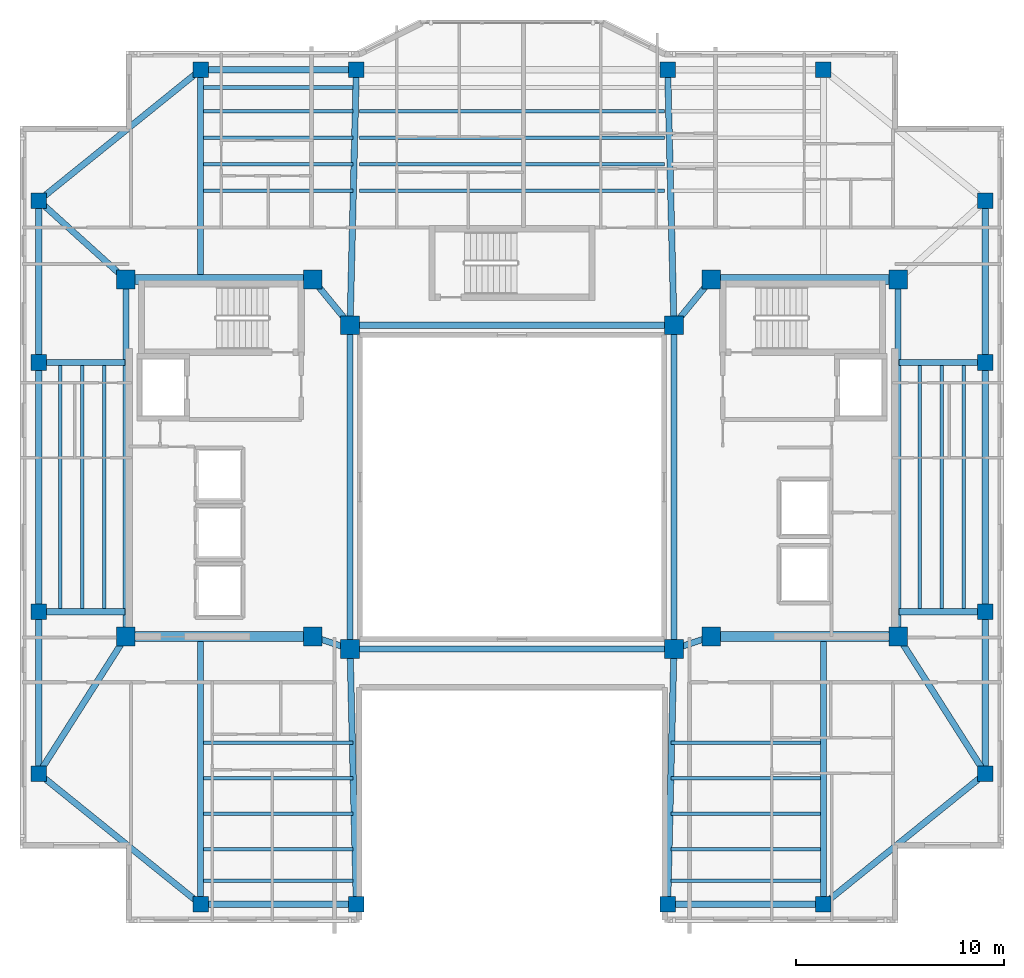
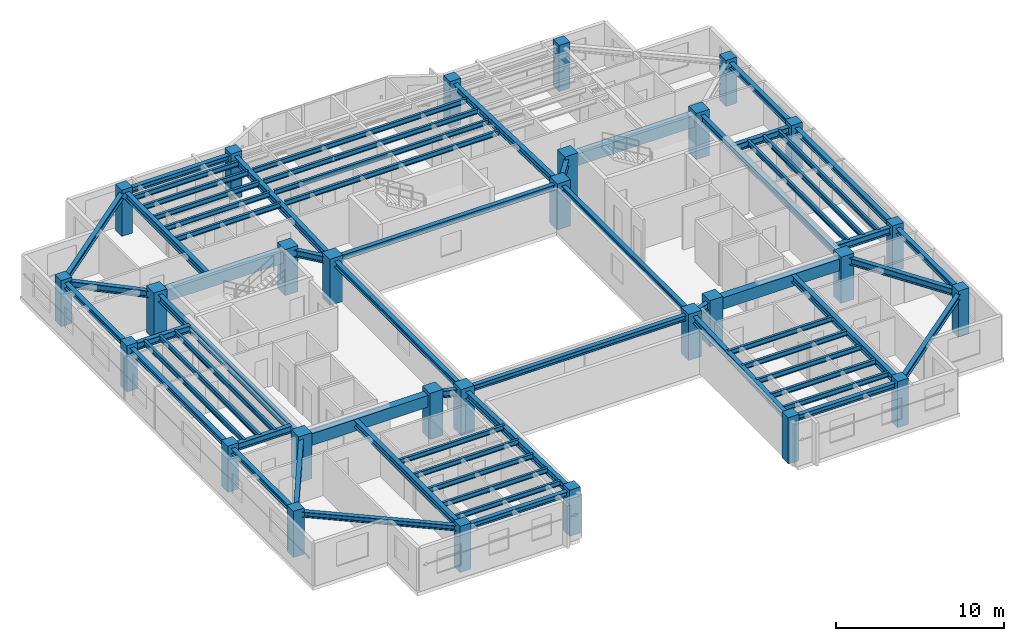
# One storey, part 1 of 12: 65 beams, 28 columns.
"""IFC4 building model written with IfcOpenShell, lengths in metres."""

from ifc_helpers import new_model, si_unit, direction, frame, origin, origin_2d, place, context, subcontext, project, spatial, rectangle, i_section, extrude, material, material_profile, profile_set, type_object, element, save


model = new_model("IFC4")

# Units and contexts
model_context = context("Model", 3, precision=1e-05, world=origin(), true_north=direction((0.0, 1.0)))
body_context = subcontext(model_context, "Body", "Model", "MODEL_VIEW")
ifc_project = project(units=[si_unit("LENGTHUNIT", "METRE"), si_unit("AREAUNIT", "SQUARE_METRE"), si_unit("VOLUMEUNIT", "CUBIC_METRE"), si_unit("PLANEANGLEUNIT", "RADIAN"), si_unit("MASSUNIT", "GRAM", prefix="KILO")], contexts=[model_context])

# Site, building, storey
site_placement = place(None, origin())
site = spatial("IfcSite", under=ifc_project, at=site_placement, CompositionType="ELEMENT")
building_placement = place(site_placement, origin())
building = spatial("IfcBuilding", under=site, at=building_placement, Name="Tarnavaz Court Tower", CompositionType="ELEMENT")
storey_placement = place(building_placement, frame((0.0, 0.0, 220.39990234375)))
storey = spatial("IfcBuildingStorey", under=building, at=storey_placement, Name="L60", CompositionType="ELEMENT", Elevation=220.39990234375)

# Columns
ifc_material_1 = material(Name="Concrete C50/60", Category="concrete")
ifc_material_profile_1 = material_profile(ifc_material_1, rectangle(XDim=0.75, YDim=0.75, at=origin_2d()), Name="RC 750X750")
ifc_profile_set_1 = profile_set([ifc_material_profile_1], Name="Concrete C50/60")
column_type_1 = type_object("IfcColumnType", Name="CL-RC750", PredefinedType="COLUMN", material=ifc_profile_set_1)
for number, where, z_axis, x_axis, name in (
    (1, (-15.0, 20.10009765625, 0.0), (0.0, 0.0, 1.0), (1.0, 0.0, 0.0), "L60 Column PN-1"),
    (2, (-7.5, 20.10009765625, 0.0), (0.0, 0.0, 1.0), (1.0, 0.0, 0.0), "L60 Column PN-2"),
    (3, (7.5, 20.10009765625, 0.0), (0.0, 0.0, 1.0), (1.0, 0.0, 0.0), "L60 Column PN-3"),
    (4, (15.0, 20.10009765625, 0.0), (0.0, 0.0, 1.0), (1.0, 0.0, 0.0), "L60 Column PN-4"),
    (5, (-15.0, -20.10009765625, 0.0), (0.0, 0.0, 1.0), (1.0, 0.0, 0.0), "L60 Column PS-1"),
    (6, (-7.5, -20.10009765625, 0.0), (0.0, 0.0, 1.0), (1.0, 0.0, 0.0), "L60 Column PS-2"),
    (7, (7.5, -20.10009765625, 0.0), (0.0, 0.0, 1.0), (1.0, 0.0, 0.0), "L60 Column PS-3"),
    (8, (15.0, -20.10009765625, 0.0), (0.0, 0.0, 1.0), (1.0, 0.0, 0.0), "L60 Column PS-4"),
    (9, (22.800048828125, -13.800048828125, 0.0), (0.0, 0.0, 1.0), (1.0, 0.0, 0.0), "L60 Column PE-1"),
    (10, (22.800048828125, -6.0, 0.0), (0.0, 0.0, 1.0), (1.0, 0.0, 0.0), "L60 Column PE-2"),
    (11, (22.800048828125, 6.0, 0.0), (0.0, 0.0, 1.0), (1.0, 0.0, 0.0), "L60 Column PE-3"),
    (12, (22.800048828125, 13.800048828125, 0.0), (0.0, 0.0, 1.0), (1.0, 0.0, 0.0), "L60 Column PE-4"),
    (13, (-22.800048828125, -13.800048828125, 0.0), (0.0, 0.0, 1.0), (1.0, 0.0, 0.0), "L60 Column PW-1"),
    (14, (-22.800048828125, -6.0, 0.0), (0.0, 0.0, 1.0), (1.0, 0.0, 0.0), "L60 Column PW-2"),
    (15, (-22.800048828125, 6.0, 0.0), (0.0, 0.0, 1.0), (1.0, 0.0, 0.0), "L60 Column PW-3"),
    (16, (-22.800048828125, 13.800048828125, 0.0), (0.0, 0.0, 1.0), (1.0, 0.0, 0.0), "L60 Column PW-4"),
):
    element("IfcColumn", number, at=place(storey_placement, frame(where, z_axis=z_axis, x_axis=x_axis)), inside=storey, type_object=column_type_1, Name=name, PredefinedType="COLUMN", context=body_context, shape_type="SweptSolid", body=[
        extrude(rectangle(XDim=0.75, YDim=0.75, at=origin_2d()), origin(), (0.0, 0.0, 1.0), 3.35009765625),
    ])
ifc_material_profile_2 = material_profile(ifc_material_1, rectangle(XDim=0.89990234375, YDim=0.89990234375, at=origin_2d()), Name="RC 900X900")
ifc_profile_set_2 = profile_set([ifc_material_profile_2], Name="Concrete C50/60")
column_type_2 = type_object("IfcColumnType", Name="CL-RC900", PredefinedType="COLUMN", material=ifc_profile_set_2)
for number, where, z_axis, x_axis, name in (
    (17, (-7.800048828125, -7.800048828125, 0.0), (0.0, 0.0, 1.0), (1.0, 0.0, 0.0), "L60 Column IW-SW"),
    (18, (7.800048828125, -7.800048828125, 0.0), (0.0, 0.0, 1.0), (1.0, 0.0, 0.0), "L60 Column IW-SE"),
    (19, (-7.800048828125, 7.800048828125, 0.0), (0.0, 0.0, 1.0), (1.0, 0.0, 0.0), "L60 Column IW-NW"),
    (20, (7.800048828125, 7.800048828125, 0.0), (0.0, 0.0, 1.0), (1.0, 0.0, 0.0), "L60 Column IW-NE"),
    (21, (-9.60009765625, -7.199951171875, 0.0), (0.0, 0.0, 1.0), (1.0, 0.0, 0.0), "L60 Column CW-SI"),
    (22, (-9.60009765625, 10.0, 0.0), (0.0, 0.0, 1.0), (1.0, 0.0, 0.0), "L60 Column CW-NI"),
    (23, (9.60009765625, -7.199951171875, 0.0), (0.0, 0.0, 1.0), (1.0, 0.0, 0.0), "L60 Column CE-SI"),
    (24, (9.60009765625, 10.0, 0.0), (0.0, 0.0, 1.0), (1.0, 0.0, 0.0), "L60 Column CE-NI"),
    (25, (-18.60009765625, -7.199951171875, 0.0), (0.0, 0.0, 1.0), (1.0, 0.0, 0.0), "L60 Column CW-SO"),
    (26, (-18.60009765625, 10.0, 0.0), (0.0, 0.0, 1.0), (1.0, 0.0, 0.0), "L60 Column CW-NO"),
    (27, (18.60009765625, -7.199951171875, 0.0), (0.0, 0.0, 1.0), (1.0, 0.0, 0.0), "L60 Column CE-SO"),
    (28, (18.60009765625, 10.0, 0.0), (0.0, 0.0, 1.0), (1.0, 0.0, 0.0), "L60 Column CE-NO"),
):
    element("IfcColumn", number, at=place(storey_placement, frame(where, z_axis=z_axis, x_axis=x_axis)), inside=storey, type_object=column_type_2, Name=name, PredefinedType="COLUMN", context=body_context, shape_type="SweptSolid", body=[
        extrude(rectangle(XDim=0.89990234375, YDim=0.89990234375, at=origin_2d()), origin(), (0.0, 0.0, 1.0), 3.35009765625),
    ])

# Beams
ifc_material_profile_3 = material_profile(ifc_material_1, rectangle(XDim=0.5, YDim=0.85009765625, at=origin_2d()), Name="RC 500X850")
ifc_profile_set_3 = profile_set([ifc_material_profile_3], Name="Concrete C50/60")
beam_type_1 = type_object("IfcBeamType", Name="BM-CB850", PredefinedType="LINTEL", material=ifc_profile_set_3)
for number, where, z_axis, x_axis, name in (
    (29, (-18.3798828125, -7.199951171875, 2.675048828125), (1.0, 0.0, 0.0), (0.0, 1.0, 0.0), "L60 Beam IN-CW-SO-CW-SI"),
    (30, (-18.3798828125, 10.0, 2.675048828125), (1.0, 0.0, 0.0), (0.0, 1.0, 0.0), "L60 Beam IN-CW-NO-CW-NI"),
    (31, (18.3798828125, -7.199951171875, 2.675048828125), (-1.0, 0.0, 0.0), (0.0, -1.0, 0.0), "L60 Beam IN-CE-SO-CE-SI"),
    (32, (18.3798828125, 10.0, 2.675048828125), (-1.0, 0.0, 0.0), (0.0, -1.0, 0.0), "L60 Beam IN-CE-NO-CE-NI"),
):
    element("IfcBeam", number, at=place(storey_placement, frame(where, z_axis=z_axis, x_axis=x_axis)), inside=storey, type_object=beam_type_1, Name=name, PredefinedType="LINTEL", context=body_context, shape_type="SweptSolid", body=[
        extrude(rectangle(XDim=0.5, YDim=0.85009765625, at=origin_2d()), origin(), (0.0, 0.0, 1.0), 8.559814453125),
    ])
ifc_material_2 = material(Name="Steel S355", Category="steel")
ifc_material_profile_4 = material_profile(ifc_material_2, i_section(OverallWidth=0.300048828125, OverallDepth=0.5, WebThickness=0.014404296875, FlangeThickness=0.028076171875, FilletRadius=0.027099609375, at=origin_2d()), Name="HEB 500")
ifc_profile_set_4 = profile_set([ifc_material_profile_4], Name="Steel S355")
beam_type_2 = type_object("IfcBeamType", Name="BM-G-HEB500", PredefinedType="USERDEFINED", material=ifc_profile_set_4)
for number, where, z_axis, x_axis, name in (
    (33, (-9.391357421875, -7.26953125, 2.85009765625), (0.948666544706, -0.316278021615, 0.0), (0.316278021615, 0.948666544706, 0.0), "L60 Beam IN-CW-SI-IW-SW"),
    (34, (9.391357421875, -7.26953125, 2.85009765625), (-0.948666544706, -0.316278021615, 0.0), (0.316278021615, -0.948666544706, 0.0), "L60 Beam IN-CE-SI-IW-SE"),
):
    element("IfcBeam", number, at=place(storey_placement, frame(where, z_axis=z_axis, x_axis=x_axis)), inside=storey, type_object=beam_type_2, Name=name, ObjectType="GIRDER", PredefinedType="USERDEFINED", context=body_context, shape_type="SweptSolid", body=[
        extrude(i_section(OverallWidth=0.300048828125, OverallDepth=0.5, WebThickness=0.014404296875, FlangeThickness=0.028076171875, FilletRadius=0.027099609375, at=origin_2d()), origin(), (0.0, 0.0, 1.0), 1.457275390625),
    ])
for number, where, z_axis, x_axis, name in (
    (35, (-9.460693359375, 9.82958984375, 2.85009765625), (0.633282058357, -0.773921077735, 0.0), (0.773921077735, 0.633282058357, 0.0), "L60 Beam IN-CW-NI-IW-NW"),
    (36, (9.460693359375, 9.82958984375, 2.85009765625), (-0.633282058357, -0.773921077735, 0.0), (0.773921077735, -0.633282058357, 0.0), "L60 Beam IN-CE-NI-IW-NE"),
):
    element("IfcBeam", number, at=place(storey_placement, frame(where, z_axis=z_axis, x_axis=x_axis)), inside=storey, type_object=beam_type_2, Name=name, ObjectType="GIRDER", PredefinedType="USERDEFINED", context=body_context, shape_type="SweptSolid", body=[
        extrude(i_section(OverallWidth=0.300048828125, OverallDepth=0.5, WebThickness=0.014404296875, FlangeThickness=0.028076171875, FilletRadius=0.027099609375, at=origin_2d()), origin(), (0.0, 0.0, 1.0), 2.402587890625),
    ])
for number, where, z_axis, x_axis, name in (
    (37, (-18.60009765625, -6.97998046875, 2.85009765625), (0.0, 1.0, 0.0), (-1.0, 0.0, 0.0), "L60 Beam IN-CW-SO-CW-NO"),
    (38, (18.60009765625, -6.97998046875, 2.85009765625), (0.0, 1.0, 0.0), (-1.0, 0.0, 0.0), "L60 Beam IN-CE-SO-CE-NO"),
):
    element("IfcBeam", number, at=place(storey_placement, frame(where, z_axis=z_axis, x_axis=x_axis)), inside=storey, type_object=beam_type_2, Name=name, ObjectType="GIRDER", PredefinedType="USERDEFINED", context=body_context, shape_type="SweptSolid", body=[
        extrude(i_section(OverallWidth=0.300048828125, OverallDepth=0.5, WebThickness=0.014404296875, FlangeThickness=0.028076171875, FilletRadius=0.027099609375, at=origin_2d()), origin(), (0.0, 0.0, 1.0), 16.760009765625),
    ])
beam_1_placement = place(storey_placement, frame((-15.0, 10.0400390625, 2.85009765625), z_axis=(0.0, 1.0, 0.0), x_axis=(-1.0, 0.0, 0.0)))
element("IfcBeam", 39, at=beam_1_placement, inside=storey, type_object=beam_type_2, Name="L60 Beam RG-01", ObjectType="GIRDER", PredefinedType="USERDEFINED", context=body_context, shape_type="SweptSolid", body=[
    extrude(i_section(OverallWidth=0.300048828125, OverallDepth=0.5, WebThickness=0.014404296875, FlangeThickness=0.028076171875, FilletRadius=0.027099609375, at=origin_2d()), origin(), (0.0, 0.0, 1.0), 9.83984375),
])
for number, where, z_axis, x_axis, name in (
    (40, (-7.794677734375, 8.02001953125, 2.85009765625), (0.024386002211, 0.99970261723, 0.0), (-0.99970261723, 0.024386002211, 0.0), "L60 Beam RG-02"),
    (41, (7.794677734375, 8.02001953125, 2.85009765625), (-0.024386002211, 0.99970261723, 0.0), (-0.99970261723, -0.024386002211, 0.0), "L60 Beam RG-03"),
):
    element("IfcBeam", number, at=place(storey_placement, frame(where, z_axis=z_axis, x_axis=x_axis)), inside=storey, type_object=beam_type_2, Name=name, ObjectType="GIRDER", PredefinedType="USERDEFINED", context=body_context, shape_type="SweptSolid", body=[
        extrude(i_section(OverallWidth=0.300048828125, OverallDepth=0.5, WebThickness=0.014404296875, FlangeThickness=0.028076171875, FilletRadius=0.027099609375, at=origin_2d()), origin(), (0.0, 0.0, 1.0), 11.863525390625),
    ])
beam_2_placement = place(storey_placement, frame((-15.0, -7.239990234375, 2.85009765625), z_axis=(0.0, -1.0, 0.0), x_axis=(1.0, 0.0, 0.0)))
element("IfcBeam", 42, at=beam_2_placement, inside=storey, type_object=beam_type_2, Name="L60 Beam RG-05", ObjectType="GIRDER", PredefinedType="USERDEFINED", context=body_context, shape_type="SweptSolid", body=[
    extrude(i_section(OverallWidth=0.300048828125, OverallDepth=0.5, WebThickness=0.014404296875, FlangeThickness=0.028076171875, FilletRadius=0.027099609375, at=origin_2d()), origin(), (0.0, 0.0, 1.0), 12.639892578125),
])
for number, where, z_axis, x_axis, name in (
    (43, (-7.794677734375, -8.02001953125, 2.85009765625), (0.024386002211, -0.99970261723, 0.0), (0.99970261723, 0.024386002211, 0.0), "L60 Beam RG-06"),
    (44, (7.794677734375, -8.02001953125, 2.85009765625), (-0.024386002211, -0.99970261723, 0.0), (0.99970261723, -0.024386002211, 0.0), "L60 Beam RG-07"),
):
    element("IfcBeam", number, at=place(storey_placement, frame(where, z_axis=z_axis, x_axis=x_axis)), inside=storey, type_object=beam_type_2, Name=name, ObjectType="GIRDER", PredefinedType="USERDEFINED", context=body_context, shape_type="SweptSolid", body=[
        extrude(i_section(OverallWidth=0.300048828125, OverallDepth=0.5, WebThickness=0.014404296875, FlangeThickness=0.028076171875, FilletRadius=0.027099609375, at=origin_2d()), origin(), (0.0, 0.0, 1.0), 11.863525390625),
    ])
beam_3_placement = place(storey_placement, frame((15.0, -7.239990234375, 2.85009765625), z_axis=(0.0, -1.0, 0.0), x_axis=(1.0, 0.0, 0.0)))
element("IfcBeam", 45, at=beam_3_placement, inside=storey, type_object=beam_type_2, Name="L60 Beam RG-08", ObjectType="GIRDER", PredefinedType="USERDEFINED", context=body_context, shape_type="SweptSolid", body=[
    extrude(i_section(OverallWidth=0.300048828125, OverallDepth=0.5, WebThickness=0.014404296875, FlangeThickness=0.028076171875, FilletRadius=0.027099609375, at=origin_2d()), origin(), (0.0, 0.0, 1.0), 12.639892578125),
])
for number, where, z_axis, x_axis, name in (
    (46, (18.639892578125, -6.0, 2.85009765625), (1.0, 0.0, 0.0), (0.0, 1.0, 0.0), "L60 Beam RG-09"),
    (47, (18.639892578125, 6.0, 2.85009765625), (1.0, 0.0, 0.0), (0.0, 1.0, 0.0), "L60 Beam RG-10"),
):
    element("IfcBeam", number, at=place(storey_placement, frame(where, z_axis=z_axis, x_axis=x_axis)), inside=storey, type_object=beam_type_2, Name=name, ObjectType="GIRDER", PredefinedType="USERDEFINED", context=body_context, shape_type="SweptSolid", body=[
        extrude(i_section(OverallWidth=0.300048828125, OverallDepth=0.5, WebThickness=0.014404296875, FlangeThickness=0.028076171875, FilletRadius=0.027099609375, at=origin_2d()), origin(), (0.0, 0.0, 1.0), 3.940185546875),
    ])
beam_4_placement = place(storey_placement, frame((18.718017578125, -7.385498046875, 2.85009765625), z_axis=(0.536871212964, -0.843664210863, 0.0), x_axis=(0.843664210863, 0.536871212964, 0.0)))
element("IfcBeam", 48, at=beam_4_placement, inside=storey, type_object=beam_type_2, Name="L60 Beam RG-11", ObjectType="GIRDER", PredefinedType="USERDEFINED", context=body_context, shape_type="SweptSolid", body=[
    extrude(i_section(OverallWidth=0.300048828125, OverallDepth=0.5, WebThickness=0.014404296875, FlangeThickness=0.028076171875, FilletRadius=0.027099609375, at=origin_2d()), origin(), (0.0, 0.0, 1.0), 7.38330078125),
])
for number, where, z_axis, x_axis, name in (
    (49, (-18.639892578125, -6.0, 2.85009765625), (-1.0, 0.0, 0.0), (0.0, -1.0, 0.0), "L60 Beam RG-13"),
    (50, (-18.639892578125, 6.0, 2.85009765625), (-1.0, 0.0, 0.0), (0.0, -1.0, 0.0), "L60 Beam RG-14"),
):
    element("IfcBeam", number, at=place(storey_placement, frame(where, z_axis=z_axis, x_axis=x_axis)), inside=storey, type_object=beam_type_2, Name=name, ObjectType="GIRDER", PredefinedType="USERDEFINED", context=body_context, shape_type="SweptSolid", body=[
        extrude(i_section(OverallWidth=0.300048828125, OverallDepth=0.5, WebThickness=0.014404296875, FlangeThickness=0.028076171875, FilletRadius=0.027099609375, at=origin_2d()), origin(), (0.0, 0.0, 1.0), 3.940185546875),
    ])
beam_5_placement = place(storey_placement, frame((-18.718017578125, -7.385498046875, 2.85009765625), z_axis=(-0.536871212964, -0.843664210863, 0.0), x_axis=(0.843664210863, -0.536871212964, 0.0)))
element("IfcBeam", 51, at=beam_5_placement, inside=storey, type_object=beam_type_2, Name="L60 Beam RG-15", ObjectType="GIRDER", PredefinedType="USERDEFINED", context=body_context, shape_type="SweptSolid", body=[
    extrude(i_section(OverallWidth=0.300048828125, OverallDepth=0.5, WebThickness=0.014404296875, FlangeThickness=0.028076171875, FilletRadius=0.027099609375, at=origin_2d()), origin(), (0.0, 0.0, 1.0), 7.38330078125),
])
beam_6_placement = place(storey_placement, frame((-18.76318359375, 10.147705078125, 2.85009765625), z_axis=(-0.741555708494, 0.670891296113, 0.0), x_axis=(-0.670891296113, -0.741555708494, 0.0)))
element("IfcBeam", 52, at=beam_6_placement, inside=storey, type_object=beam_type_2, Name="L60 Beam RG-16", ObjectType="GIRDER", PredefinedType="USERDEFINED", context=body_context, shape_type="SweptSolid", body=[
    extrude(i_section(OverallWidth=0.300048828125, OverallDepth=0.5, WebThickness=0.014404296875, FlangeThickness=0.028076171875, FilletRadius=0.027099609375, at=origin_2d()), origin(), (0.0, 0.0, 1.0), 5.223876953125),
])
ifc_material_profile_5 = material_profile(ifc_material_2, i_section(OverallWidth=0.169921875, OverallDepth=0.360107421875, WebThickness=0.008056640625, FlangeThickness=0.0126953125, FilletRadius=0.01806640625, at=origin_2d()), Name="IPE 360")
ifc_profile_set_5 = profile_set([ifc_material_profile_5], Name="Steel S355")
beam_type_3 = type_object("IfcBeamType", Name="BM-J-IPE360", PredefinedType="JOIST", material=ifc_profile_set_5)
beam_7_placement = place(storey_placement, frame((-14.85009765625, 14.278076171875, 2.920166015625), z_axis=(1.0, 0.0, 0.0), x_axis=(0.0, 1.0, 0.0)))
element("IfcBeam", 53, at=beam_7_placement, inside=storey, type_object=beam_type_3, Name="L60 Beam JN1-1", PredefinedType="JOIST", context=body_context, shape_type="SweptSolid", body=[
    extrude(i_section(OverallWidth=0.169921875, OverallDepth=0.360107421875, WebThickness=0.008056640625, FlangeThickness=0.0126953125, FilletRadius=0.01806640625, at=origin_2d()), origin(), (0.0, 0.0, 1.0), 7.2001953125),
])
beam_8_placement = place(storey_placement, frame((-7.35009765625, 14.278076171875, 2.920166015625), z_axis=(1.0, 0.0, 0.0), x_axis=(0.0, 1.0, 0.0)))
element("IfcBeam", 54, at=beam_8_placement, inside=storey, type_object=beam_type_3, Name="L60 Beam JN1-2", PredefinedType="JOIST", context=body_context, shape_type="SweptSolid", body=[
    extrude(i_section(OverallWidth=0.169921875, OverallDepth=0.360107421875, WebThickness=0.008056640625, FlangeThickness=0.0126953125, FilletRadius=0.01806640625, at=origin_2d()), origin(), (0.0, 0.0, 1.0), 14.7001953125),
])
for number, where, z_axis, x_axis, name in (
    (55, (-14.85009765625, -12.31005859375, 2.920166015625), (1.0, 0.0, 0.0), (0.0, 1.0, 0.0), "L60 Beam JS1-1"),
    (56, (7.64990234375, -12.31005859375, 2.920166015625), (1.0, 0.0, 0.0), (0.0, 1.0, 0.0), "L60 Beam JS1-2"),
    (57, (-14.85009765625, 15.555908203125, 2.920166015625), (1.0, 0.0, 0.0), (0.0, 1.0, 0.0), "L60 Beam JN2-1"),
):
    element("IfcBeam", number, at=place(storey_placement, frame(where, z_axis=z_axis, x_axis=x_axis)), inside=storey, type_object=beam_type_3, Name=name, PredefinedType="JOIST", context=body_context, shape_type="SweptSolid", body=[
        extrude(i_section(OverallWidth=0.169921875, OverallDepth=0.360107421875, WebThickness=0.008056640625, FlangeThickness=0.0126953125, FilletRadius=0.01806640625, at=origin_2d()), origin(), (0.0, 0.0, 1.0), 7.2001953125),
    ])
beam_9_placement = place(storey_placement, frame((-7.35009765625, 15.555908203125, 2.920166015625), z_axis=(1.0, 0.0, 0.0), x_axis=(0.0, 1.0, 0.0)))
element("IfcBeam", 58, at=beam_9_placement, inside=storey, type_object=beam_type_3, Name="L60 Beam JN2-2", PredefinedType="JOIST", context=body_context, shape_type="SweptSolid", body=[
    extrude(i_section(OverallWidth=0.169921875, OverallDepth=0.360107421875, WebThickness=0.008056640625, FlangeThickness=0.0126953125, FilletRadius=0.01806640625, at=origin_2d()), origin(), (0.0, 0.0, 1.0), 14.7001953125),
])
for number, where, z_axis, x_axis, name in (
    (59, (-14.85009765625, -14.02001953125, 2.920166015625), (1.0, 0.0, 0.0), (0.0, 1.0, 0.0), "L60 Beam JS2-1"),
    (60, (7.64990234375, -14.02001953125, 2.920166015625), (1.0, 0.0, 0.0), (0.0, 1.0, 0.0), "L60 Beam JS2-2"),
    (61, (-14.85009765625, 16.833984375, 2.920166015625), (1.0, 0.0, 0.0), (0.0, 1.0, 0.0), "L60 Beam JN3-1"),
):
    element("IfcBeam", number, at=place(storey_placement, frame(where, z_axis=z_axis, x_axis=x_axis)), inside=storey, type_object=beam_type_3, Name=name, PredefinedType="JOIST", context=body_context, shape_type="SweptSolid", body=[
        extrude(i_section(OverallWidth=0.169921875, OverallDepth=0.360107421875, WebThickness=0.008056640625, FlangeThickness=0.0126953125, FilletRadius=0.01806640625, at=origin_2d()), origin(), (0.0, 0.0, 1.0), 7.2001953125),
    ])
beam_10_placement = place(storey_placement, frame((-7.35009765625, 16.833984375, 2.920166015625), z_axis=(1.0, 0.0, 0.0), x_axis=(0.0, 1.0, 0.0)))
element("IfcBeam", 62, at=beam_10_placement, inside=storey, type_object=beam_type_3, Name="L60 Beam JN3-2", PredefinedType="JOIST", context=body_context, shape_type="SweptSolid", body=[
    extrude(i_section(OverallWidth=0.169921875, OverallDepth=0.360107421875, WebThickness=0.008056640625, FlangeThickness=0.0126953125, FilletRadius=0.01806640625, at=origin_2d()), origin(), (0.0, 0.0, 1.0), 14.7001953125),
])
for number, where, z_axis, x_axis, name in (
    (63, (-14.85009765625, -15.72998046875, 2.920166015625), (1.0, 0.0, 0.0), (0.0, 1.0, 0.0), "L60 Beam JS3-1"),
    (64, (7.64990234375, -15.72998046875, 2.920166015625), (1.0, 0.0, 0.0), (0.0, 1.0, 0.0), "L60 Beam JS3-2"),
    (65, (-14.85009765625, 18.112060546875, 2.920166015625), (1.0, 0.0, 0.0), (0.0, 1.0, 0.0), "L60 Beam JN4-1"),
):
    element("IfcBeam", number, at=place(storey_placement, frame(where, z_axis=z_axis, x_axis=x_axis)), inside=storey, type_object=beam_type_3, Name=name, PredefinedType="JOIST", context=body_context, shape_type="SweptSolid", body=[
        extrude(i_section(OverallWidth=0.169921875, OverallDepth=0.360107421875, WebThickness=0.008056640625, FlangeThickness=0.0126953125, FilletRadius=0.01806640625, at=origin_2d()), origin(), (0.0, 0.0, 1.0), 7.2001953125),
    ])
beam_11_placement = place(storey_placement, frame((-7.35009765625, 18.112060546875, 2.920166015625), z_axis=(1.0, 0.0, 0.0), x_axis=(0.0, 1.0, 0.0)))
element("IfcBeam", 66, at=beam_11_placement, inside=storey, type_object=beam_type_3, Name="L60 Beam JN4-2", PredefinedType="JOIST", context=body_context, shape_type="SweptSolid", body=[
    extrude(i_section(OverallWidth=0.169921875, OverallDepth=0.360107421875, WebThickness=0.008056640625, FlangeThickness=0.0126953125, FilletRadius=0.01806640625, at=origin_2d()), origin(), (0.0, 0.0, 1.0), 14.7001953125),
])
for number, where, z_axis, x_axis, name in (
    (67, (-14.85009765625, -17.43994140625, 2.920166015625), (1.0, 0.0, 0.0), (0.0, 1.0, 0.0), "L60 Beam JS4-1"),
    (68, (7.64990234375, -17.43994140625, 2.920166015625), (1.0, 0.0, 0.0), (0.0, 1.0, 0.0), "L60 Beam JS4-2"),
    (69, (-14.85009765625, 19.248046875, 2.920166015625), (1.0, 0.0, 0.0), (0.0, 1.0, 0.0), "L60 Beam JN5-1"),
    (70, (-14.85009765625, -18.9599609375, 2.920166015625), (1.0, 0.0, 0.0), (0.0, 1.0, 0.0), "L60 Beam JS5-1"),
    (71, (7.64990234375, -18.9599609375, 2.920166015625), (1.0, 0.0, 0.0), (0.0, 1.0, 0.0), "L60 Beam JS5-2"),
):
    element("IfcBeam", number, at=place(storey_placement, frame(where, z_axis=z_axis, x_axis=x_axis)), inside=storey, type_object=beam_type_3, Name=name, PredefinedType="JOIST", context=body_context, shape_type="SweptSolid", body=[
        extrude(i_section(OverallWidth=0.169921875, OverallDepth=0.360107421875, WebThickness=0.008056640625, FlangeThickness=0.0126953125, FilletRadius=0.01806640625, at=origin_2d()), origin(), (0.0, 0.0, 1.0), 7.2001953125),
    ])
for number, where, z_axis, x_axis, name in (
    (72, (19.64990234375, -5.9599609375, 2.920166015625), (0.0, 1.0, 0.0), (-1.0, 0.0, 0.0), "L60 Beam JE1"),
    (73, (-19.64990234375, -5.9599609375, 2.920166015625), (0.0, 1.0, 0.0), (-1.0, 0.0, 0.0), "L60 Beam JW1"),
    (74, (20.699951171875, -5.9599609375, 2.920166015625), (0.0, 1.0, 0.0), (-1.0, 0.0, 0.0), "L60 Beam JE2"),
    (75, (-20.699951171875, -5.9599609375, 2.920166015625), (0.0, 1.0, 0.0), (-1.0, 0.0, 0.0), "L60 Beam JW2"),
    (76, (21.75, -5.9599609375, 2.920166015625), (0.0, 1.0, 0.0), (-1.0, 0.0, 0.0), "L60 Beam JE3"),
    (77, (-21.75, -5.9599609375, 2.920166015625), (0.0, 1.0, 0.0), (-1.0, 0.0, 0.0), "L60 Beam JW3"),
):
    element("IfcBeam", number, at=place(storey_placement, frame(where, z_axis=z_axis, x_axis=x_axis)), inside=storey, type_object=beam_type_3, Name=name, PredefinedType="JOIST", context=body_context, shape_type="SweptSolid", body=[
        extrude(i_section(OverallWidth=0.169921875, OverallDepth=0.360107421875, WebThickness=0.008056640625, FlangeThickness=0.0126953125, FilletRadius=0.01806640625, at=origin_2d()), origin(), (0.0, 0.0, 1.0), 11.919921875),
    ])
ifc_material_profile_6 = material_profile(ifc_material_2, i_section(OverallWidth=0.300048828125, OverallDepth=0.389892578125, WebThickness=0.010986328125, FlangeThickness=0.01904296875, FilletRadius=0.027099609375, at=origin_2d()), Name="HEA 400")
ifc_profile_set_6 = profile_set([ifc_material_profile_6], Name="Steel S355")
beam_type_4 = type_object("IfcBeamType", Name="BM-SP-HEA400", PredefinedType="BEAM", material=ifc_profile_set_6)
for number, where, z_axis, x_axis, name in (
    (78, (-7.580078125, -7.800048828125, 2.905029296875), (1.0, 0.0, 0.0), (0.0, 1.0, 0.0), "L60 Beam IN-IW-SW-IW-SE"),
    (79, (-7.580078125, 7.800048828125, 2.905029296875), (1.0, 0.0, 0.0), (0.0, 1.0, 0.0), "L60 Beam IN-IW-NW-IW-NE"),
    (80, (-7.800048828125, -7.580078125, 2.905029296875), (0.0, 1.0, 0.0), (-1.0, 0.0, 0.0), "L60 Beam IN-IW-SW-IW-NW"),
    (81, (7.800048828125, -7.580078125, 2.905029296875), (0.0, 1.0, 0.0), (-1.0, 0.0, 0.0), "L60 Beam IN-IW-SE-IW-NE"),
):
    element("IfcBeam", number, at=place(storey_placement, frame(where, z_axis=z_axis, x_axis=x_axis)), inside=storey, type_object=beam_type_4, Name=name, PredefinedType="BEAM", context=body_context, shape_type="SweptSolid", body=[
        extrude(i_section(OverallWidth=0.300048828125, OverallDepth=0.389892578125, WebThickness=0.010986328125, FlangeThickness=0.01904296875, FilletRadius=0.027099609375, at=origin_2d()), origin(), (0.0, 0.0, 1.0), 15.16015625),
    ])
for number, where, z_axis, x_axis, name in (
    (82, (-14.780029296875, 20.10009765625, 2.905029296875), (1.0, 0.0, 0.0), (0.0, 1.0, 0.0), "L60 Beam PR-PN-1-PN-2"),
    (83, (-14.780029296875, -20.10009765625, 2.905029296875), (1.0, 0.0, 0.0), (0.0, 1.0, 0.0), "L60 Beam PR-PS-1-PS-2"),
    (84, (7.719970703125, -20.10009765625, 2.905029296875), (1.0, 0.0, 0.0), (0.0, 1.0, 0.0), "L60 Beam PR-PS-3-PS-4"),
):
    element("IfcBeam", number, at=place(storey_placement, frame(where, z_axis=z_axis, x_axis=x_axis)), inside=storey, type_object=beam_type_4, Name=name, PredefinedType="BEAM", context=body_context, shape_type="SweptSolid", body=[
        extrude(i_section(OverallWidth=0.300048828125, OverallDepth=0.389892578125, WebThickness=0.010986328125, FlangeThickness=0.01904296875, FilletRadius=0.027099609375, at=origin_2d()), origin(), (0.0, 0.0, 1.0), 7.06005859375),
    ])
beam_12_placement = place(storey_placement, frame((22.800048828125, -13.580078125, 2.905029296875), z_axis=(0.0, 1.0, 0.0), x_axis=(-1.0, 0.0, 0.0)))
element("IfcBeam", 85, at=beam_12_placement, inside=storey, type_object=beam_type_4, Name="L60 Beam PR-PE-1-PE-2", PredefinedType="BEAM", context=body_context, shape_type="SweptSolid", body=[
    extrude(i_section(OverallWidth=0.300048828125, OverallDepth=0.389892578125, WebThickness=0.010986328125, FlangeThickness=0.01904296875, FilletRadius=0.027099609375, at=origin_2d()), origin(), (0.0, 0.0, 1.0), 7.360107421875),
])
beam_13_placement = place(storey_placement, frame((22.800048828125, -5.780029296875, 2.905029296875), z_axis=(0.0, 1.0, 0.0), x_axis=(-1.0, 0.0, 0.0)))
element("IfcBeam", 86, at=beam_13_placement, inside=storey, type_object=beam_type_4, Name="L60 Beam PR-PE-2-PE-3", PredefinedType="BEAM", context=body_context, shape_type="SweptSolid", body=[
    extrude(i_section(OverallWidth=0.300048828125, OverallDepth=0.389892578125, WebThickness=0.010986328125, FlangeThickness=0.01904296875, FilletRadius=0.027099609375, at=origin_2d()), origin(), (0.0, 0.0, 1.0), 11.56005859375),
])
for number, where, z_axis, x_axis, name in (
    (87, (22.800048828125, 6.219970703125, 2.905029296875), (0.0, 1.0, 0.0), (-1.0, 0.0, 0.0), "L60 Beam PR-PE-3-PE-4"),
    (88, (-22.800048828125, -13.580078125, 2.905029296875), (0.0, 1.0, 0.0), (-1.0, 0.0, 0.0), "L60 Beam PR-PW-1-PW-2"),
):
    element("IfcBeam", number, at=place(storey_placement, frame(where, z_axis=z_axis, x_axis=x_axis)), inside=storey, type_object=beam_type_4, Name=name, PredefinedType="BEAM", context=body_context, shape_type="SweptSolid", body=[
        extrude(i_section(OverallWidth=0.300048828125, OverallDepth=0.389892578125, WebThickness=0.010986328125, FlangeThickness=0.01904296875, FilletRadius=0.027099609375, at=origin_2d()), origin(), (0.0, 0.0, 1.0), 7.360107421875),
    ])
beam_14_placement = place(storey_placement, frame((-22.800048828125, -5.780029296875, 2.905029296875), z_axis=(0.0, 1.0, 0.0), x_axis=(-1.0, 0.0, 0.0)))
element("IfcBeam", 89, at=beam_14_placement, inside=storey, type_object=beam_type_4, Name="L60 Beam PR-PW-2-PW-3", PredefinedType="BEAM", context=body_context, shape_type="SweptSolid", body=[
    extrude(i_section(OverallWidth=0.300048828125, OverallDepth=0.389892578125, WebThickness=0.010986328125, FlangeThickness=0.01904296875, FilletRadius=0.027099609375, at=origin_2d()), origin(), (0.0, 0.0, 1.0), 11.56005859375),
])
beam_15_placement = place(storey_placement, frame((-22.800048828125, 6.219970703125, 2.905029296875), z_axis=(0.0, 1.0, 0.0), x_axis=(-1.0, 0.0, 0.0)))
element("IfcBeam", 90, at=beam_15_placement, inside=storey, type_object=beam_type_4, Name="L60 Beam PR-PW-3-PW-4", PredefinedType="BEAM", context=body_context, shape_type="SweptSolid", body=[
    extrude(i_section(OverallWidth=0.300048828125, OverallDepth=0.389892578125, WebThickness=0.010986328125, FlangeThickness=0.01904296875, FilletRadius=0.027099609375, at=origin_2d()), origin(), (0.0, 0.0, 1.0), 7.360107421875),
])
for number, where, z_axis, x_axis, name in (
    (91, (22.62890625, -13.938232421875, 2.905029296875), (-0.777935913531, -0.628343627674, 0.0), (0.628343627674, -0.777935913531, 0.0), "L60 Beam PR-PE-1-PS-4"),
    (92, (-15.171142578125, -19.9619140625, 2.905029296875), (-0.777935913531, 0.628343627674, 0.0), (-0.628343627674, -0.777935913531, 0.0), "L60 Beam PR-PS-1-PW-1"),
    (93, (-22.62890625, 13.938232421875, 2.905029296875), (0.777935913531, 0.628343627674, 0.0), (-0.628343627674, 0.777935913531, 0.0), "L60 Beam PR-PW-4-PN-1"),
):
    element("IfcBeam", number, at=place(storey_placement, frame(where, z_axis=z_axis, x_axis=x_axis)), inside=storey, type_object=beam_type_4, Name=name, PredefinedType="BEAM", context=body_context, shape_type="SweptSolid", body=[
        extrude(i_section(OverallWidth=0.300048828125, OverallDepth=0.389892578125, WebThickness=0.010986328125, FlangeThickness=0.01904296875, FilletRadius=0.027099609375, at=origin_2d()), origin(), (0.0, 0.0, 1.0), 9.586669921875),
    ])

save(model, "model.ifc")
